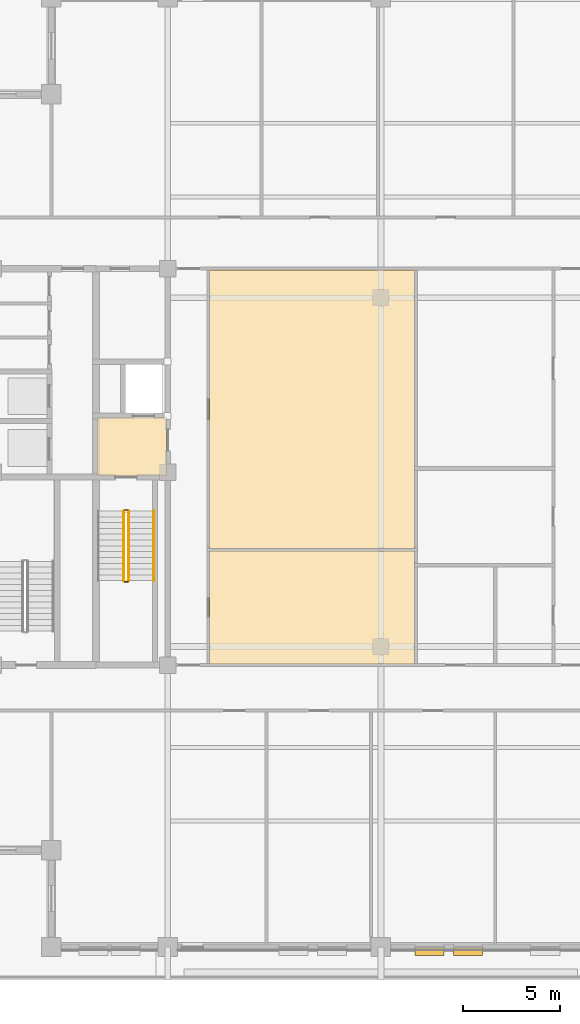
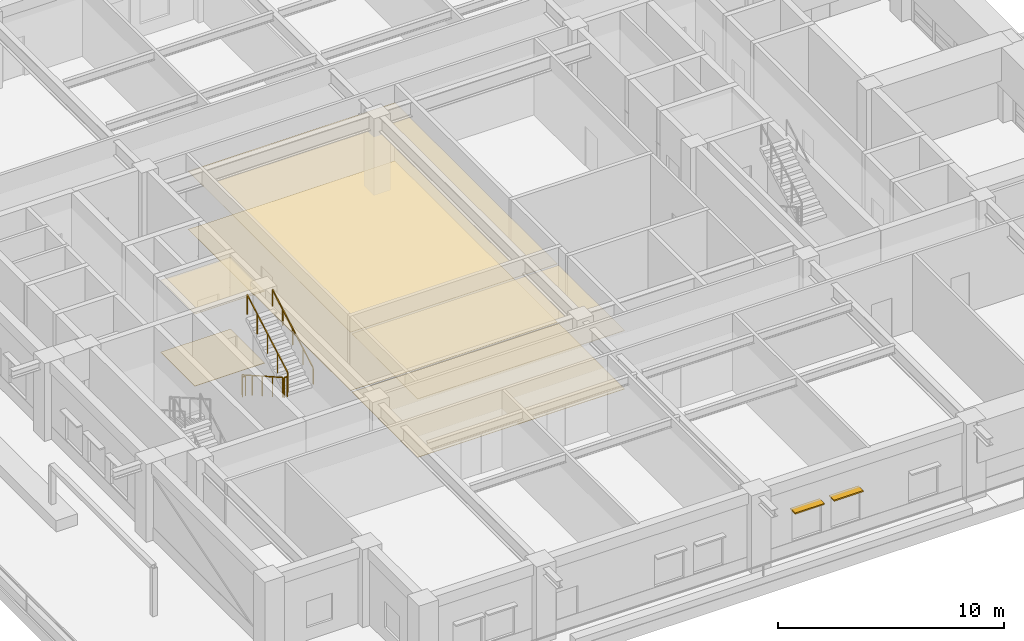
# One storey, part 16 of 20: 6 coverings, 5 railings, 2 shading devices.
"""IFC4 building model written with IfcOpenShell, lengths in metres."""

from ifc_helpers import new_model, si_unit, direction, frame, frame_2d, origin, origin_2d, place, context, subcontext, project, spatial, polyline, rectangle, outline, extrude, material, layer, layer_set, type_object, element, save


model = new_model("IFC4")

# Units and contexts
model_context = context("Model", 3, precision=1e-05, world=origin(), true_north=direction((0.0, 1.0)))
body_context = subcontext(model_context, "Body", "Model", "MODEL_VIEW")
ifc_project = project(units=[si_unit("LENGTHUNIT", "METRE"), si_unit("AREAUNIT", "SQUARE_METRE"), si_unit("VOLUMEUNIT", "CUBIC_METRE"), si_unit("PLANEANGLEUNIT", "RADIAN"), si_unit("MASSUNIT", "GRAM", prefix="KILO")], contexts=[model_context])

# Site, building, storey
site_placement = place(None, origin())
site = spatial("IfcSite", under=ifc_project, at=site_placement, CompositionType="ELEMENT")
building_placement = place(site_placement, origin())
building = spatial("IfcBuilding", under=site, at=building_placement, Name="Zulmaris Gate Convention Tower", CompositionType="ELEMENT")
storey_placement = place(building_placement, frame((0.0, 0.0, 158.23974609375)))
storey = spatial("IfcBuildingStorey", under=building, at=storey_placement, Name="L40", CompositionType="ELEMENT", Elevation=158.23974609375)

# Coverings
ifc_material_1 = material(Name="Mineral Fibre Acoustic Ceiling Tile")
ifc_layer_1 = layer(ifc_material_1, 0.02001953125, Name="Mineral Fibre Acoustic Ceiling Tile")
ifc_layer_set_1 = layer_set([ifc_layer_1], Name="Mineral Fibre Acoustic Ceiling Tile")
covering_type_1 = type_object("IfcCoveringType", Name="CLG-ACOUSTIC-600", PredefinedType="CEILING", material=ifc_layer_set_1)
covering_1_placement = place(storey_placement, frame((0.0, 0.0, 3.89013671875)))
element("IfcCovering", 1, at=covering_1_placement, inside=storey, type_object=covering_type_1, Name="CLG-L40-R03", PredefinedType="CEILING", context=body_context, shape_type="SweptSolid", body=[
    extrude(outline(polyline([(-14.639892578125, -0.18994140625), (-11.06005859375, -0.18994140625), (-11.06005859375, 2.840087890625), (-14.639892578125, 2.840087890625), (-14.639892578125, -0.18994140625)])), origin(), (0.0, 0.0, 1.0), 0.02001953125),
])
covering_2_placement = place(storey_placement, frame((0.0, 0.0, 3.153076171875)))
element("IfcCovering", 2, at=covering_2_placement, inside=storey, type_object=covering_type_1, Name="CLG-L40-R45", PredefinedType="CEILING", context=body_context, shape_type="SweptSolid", body=[
    extrude(outline(polyline([(-8.840087890625, -3.93994140625), (1.739990234375, -3.93994140625), (1.739990234375, 10.43994140625), (-8.840087890625, 10.43994140625), (-8.840087890625, -3.93994140625)])), origin(), (0.0, 0.0, 1.0), 0.02001953125),
])
covering_3_placement = place(storey_placement, frame((0.0, 0.0, 3.153076171875)))
element("IfcCovering", 3, at=covering_3_placement, inside=storey, type_object=covering_type_1, Name="CLG-L40-R46", PredefinedType="CEILING", context=body_context, shape_type="SweptSolid", body=[
    extrude(outline(polyline([(-8.840087890625, -9.889892578125), (1.739990234375, -9.889892578125), (1.739990234375, -4.06005859375), (-8.840087890625, -4.06005859375), (-8.840087890625, -9.889892578125)])), origin(), (0.0, 0.0, 1.0), 0.02001953125),
])
ifc_material_2 = material(Name="Woven Acoustic Wool Carpet Tile")
ifc_layer_2 = layer(ifc_material_2, 0.02001953125, Name="Woven Acoustic Wool Carpet Tile")
ifc_layer_set_2 = layer_set([ifc_layer_2], Name="Woven Acoustic Wool Carpet Tile")
covering_type_2 = type_object("IfcCoveringType", Name="FLR-CARPET-12", PredefinedType="FLOORING", material=ifc_layer_set_2)
covering_4_placement = place(storey_placement, origin())
element("IfcCovering", 4, at=covering_4_placement, inside=storey, type_object=covering_type_2, Name="FLR-L40-R03", PredefinedType="FLOORING", context=body_context, shape_type="SweptSolid", body=[
    extrude(outline(polyline([(-14.639892578125, -0.18994140625), (-11.06005859375, -0.18994140625), (-11.06005859375, 2.840087890625), (-14.639892578125, 2.840087890625), (-14.639892578125, -0.18994140625)])), origin(), (0.0, 0.0, 1.0), 0.02001953125),
])
covering_5_placement = place(storey_placement, origin())
element("IfcCovering", 5, at=covering_5_placement, inside=storey, type_object=covering_type_2, Name="FLR-L40-R46", PredefinedType="FLOORING", context=body_context, shape_type="SweptSolid", body=[
    extrude(outline(polyline([(-8.840087890625, -9.889892578125), (1.739990234375, -9.889892578125), (1.739990234375, -4.06005859375), (-8.840087890625, -4.06005859375), (-8.840087890625, -9.889892578125)])), origin(), (0.0, 0.0, 1.0), 0.02001953125),
])
ifc_material_3 = material(Name="Engineered Teak Parquet Flooring")
ifc_layer_3 = layer(ifc_material_3, 0.02001953125, Name="Engineered Teak Parquet Flooring")
ifc_layer_set_3 = layer_set([ifc_layer_3], Name="Engineered Teak Parquet Flooring")
covering_type_3 = type_object("IfcCoveringType", Name="FLR-TIMBER-18", PredefinedType="FLOORING", material=ifc_layer_set_3)
covering_6_placement = place(storey_placement, origin())
element("IfcCovering", 6, at=covering_6_placement, inside=storey, type_object=covering_type_3, Name="FLR-L40-R45", PredefinedType="FLOORING", context=body_context, shape_type="SweptSolid", body=[
    extrude(outline(polyline([(-8.840087890625, -3.93994140625), (1.739990234375, -3.93994140625), (1.739990234375, 10.43994140625), (-8.840087890625, 10.43994140625), (-8.840087890625, -3.93994140625)])), origin(), (0.0, 0.0, 1.0), 0.02001953125),
])

# Railings
ifc_material_4 = material(Name="Painted Galvanised Steel", Category="steel")
railing_type_1 = type_object("IfcRailingType", Name="RL-STG-1150", PredefinedType="GUARDRAIL", material=ifc_material_4)
railing_1_placement = place(storey_placement, frame((-13.27001953125, -2.0, 0.169921875)))
element("IfcRailing", 7, at=railing_1_placement, inside=storey, type_object=railing_type_1, Name="L40 ST-1 stair guard 1", PredefinedType="GUARDRAIL", context=body_context, shape_type="SweptSolid", body=[
    extrude(rectangle(XDim=0.048095703125, YDim=0.048095703125, at=origin_2d()), frame((0.0, 0.0, 1.076171875), z_axis=(0.0, -0.870023872995, 0.493009594652), x_axis=(1.0, 0.0, 0.0)), (0.0, 0.0, 1.0), 4.137939453125),
    extrude(rectangle(XDim=0.0419921875, YDim=0.0419921875, at=origin_2d()), origin(), (0.0, 0.0, 1.0), 1.052001953125),
    extrude(rectangle(XDim=0.0419921875, YDim=0.0419921875, at=origin_2d()), frame((0.0, -0.89990234375, 0.510009765625)), (0.0, 0.0, 1.0), 1.052001953125),
    extrude(rectangle(XDim=0.0419921875, YDim=0.0419921875, at=origin_2d()), frame((0.0, -1.800048828125, 1.02001953125)), (0.0, 0.0, 1.0), 1.052001953125),
    extrude(rectangle(XDim=0.0419921875, YDim=0.0419921875, at=origin_2d()), frame((0.0, -2.7001953125, 1.530029296875)), (0.0, 0.0, 1.0), 1.052001953125),
    extrude(rectangle(XDim=0.0419921875, YDim=0.0419921875, at=origin_2d()), frame((0.0, -3.60009765625, 2.0400390625)), (0.0, 0.0, 1.0), 1.052001953125),
])
railing_2_placement = place(storey_placement, frame((-13.219970703125, -5.64990234375, 2.2099609375)))
element("IfcRailing", 8, at=railing_2_placement, inside=storey, type_object=railing_type_1, Name="L40 ST-1 stair guard 2", PredefinedType="GUARDRAIL", context=body_context, shape_type="SweptSolid", body=[
    extrude(rectangle(XDim=0.048095703125, YDim=0.048095703125, at=origin_2d()), frame((0.0, 0.0, 1.076171875), z_axis=(1.0, 0.0, 0.0), x_axis=(0.0, 1.0, 0.0)), (0.0, 0.0, 1.0), 0.159912109375),
    extrude(rectangle(XDim=0.0419921875, YDim=0.0419921875, at=origin_2d()), origin(), (0.0, 0.0, 1.0), 1.052001953125),
    extrude(rectangle(XDim=0.0419921875, YDim=0.0419921875, at=origin_2d()), frame((0.159912109375, 0.0, 0.0)), (0.0, 0.0, 1.0), 1.052001953125),
])
railing_3_placement = place(storey_placement, frame((-13.010009765625, -5.60009765625, 2.380126953125)))
element("IfcRailing", 9, at=railing_3_placement, inside=storey, type_object=railing_type_1, Name="L40 ST-1 stair guard 3", PredefinedType="GUARDRAIL", context=body_context, shape_type="SweptSolid", body=[
    extrude(rectangle(XDim=0.048095703125, YDim=0.048095703125, at=origin_2d()), frame((0.0, 0.0, 1.076171875), z_axis=(0.0, 0.870023872995, 0.493009594652), x_axis=(-1.0, 0.0, 0.0)), (0.0, 0.0, 1.0), 4.137939453125),
    extrude(rectangle(XDim=0.0419921875, YDim=0.0419921875, at=origin_2d()), origin(), (0.0, 0.0, 1.0), 1.052001953125),
    extrude(rectangle(XDim=0.0419921875, YDim=0.0419921875, at=origin_2d()), frame((0.0, 0.89990234375, 0.510009765625)), (0.0, 0.0, 1.0), 1.052001953125),
    extrude(rectangle(XDim=0.0419921875, YDim=0.0419921875, at=origin_2d()), frame((0.0, 1.800048828125, 1.02001953125)), (0.0, 0.0, 1.0), 1.052001953125),
    extrude(rectangle(XDim=0.0419921875, YDim=0.0419921875, at=origin_2d()), frame((0.0, 2.7001953125, 1.530029296875)), (0.0, 0.0, 1.0), 1.052001953125),
    extrude(rectangle(XDim=0.0419921875, YDim=0.0419921875, at=origin_2d()), frame((0.0, 3.60009765625, 2.0400390625)), (0.0, 0.0, 1.0), 1.052001953125),
])
railing_4_placement = place(storey_placement, frame((-13.219970703125, -1.949951171875, 0.0)))
element("IfcRailing", 10, at=railing_4_placement, inside=storey, type_object=railing_type_1, Name="L40 ST-1 stair guard 4", PredefinedType="GUARDRAIL", context=body_context, shape_type="SweptSolid", body=[
    extrude(rectangle(XDim=0.048095703125, YDim=0.048095703125, at=origin_2d()), frame((0.0, 0.0, 1.076171875), z_axis=(1.0, 0.0, 0.0), x_axis=(0.0, 1.0, 0.0)), (0.0, 0.0, 1.0), 0.159912109375),
    extrude(rectangle(XDim=0.0419921875, YDim=0.0419921875, at=origin_2d()), origin(), (0.0, 0.0, 1.0), 1.052001953125),
    extrude(rectangle(XDim=0.0419921875, YDim=0.0419921875, at=origin_2d()), frame((0.159912109375, 0.0, 0.0)), (0.0, 0.0, 1.0), 1.052001953125),
])
ifc_material_5 = material(Name="Brushed Stainless Steel", Category="steel")
railing_type_2 = type_object("IfcRailingType", Name="RL-STH-900", PredefinedType="HANDRAIL", material=ifc_material_5)
railing_5_placement = place(storey_placement, frame((-11.7099609375, -5.60009765625, 2.380126953125)))
element("IfcRailing", 11, at=railing_5_placement, inside=storey, type_object=railing_type_2, Name="L40 ST-1 stair handrail 2", PredefinedType="HANDRAIL", context=body_context, shape_type="SweptSolid", body=[
    extrude(rectangle(XDim=0.048095703125, YDim=0.048095703125, at=origin_2d()), frame((0.0, 0.0, 0.8759765625), z_axis=(0.0, 0.870023872995, 0.493009594652), x_axis=(-1.0, 0.0, 0.0)), (0.0, 0.0, 1.0), 4.137939453125),
    extrude(rectangle(XDim=0.0419921875, YDim=0.0419921875, at=origin_2d()), origin(), (0.0, 0.0, 1.0), 0.851806640625),
    extrude(rectangle(XDim=0.0419921875, YDim=0.0419921875, at=origin_2d()), frame((0.0, 0.89990234375, 0.510009765625)), (0.0, 0.0, 1.0), 0.851806640625),
    extrude(rectangle(XDim=0.0419921875, YDim=0.0419921875, at=origin_2d()), frame((0.0, 1.800048828125, 1.02001953125)), (0.0, 0.0, 1.0), 0.851806640625),
    extrude(rectangle(XDim=0.0419921875, YDim=0.0419921875, at=origin_2d()), frame((0.0, 2.7001953125, 1.530029296875)), (0.0, 0.0, 1.0), 0.851806640625),
    extrude(rectangle(XDim=0.0419921875, YDim=0.0419921875, at=origin_2d()), frame((0.0, 3.60009765625, 2.0400390625)), (0.0, 0.0, 1.0), 0.851806640625),
])

# Shading devices
ifc_material_6 = material(Name="Glazed Ceramic Terracotta", Category="masonry")
ifc_layer_4 = layer(ifc_material_6, 0.070068359375, Name="Glazed Ceramic Terracotta")
ifc_layer_set_4 = layer_set([ifc_layer_4], Name="Glazed Ceramic Terracotta")
shading_device_type = type_object("IfcShadingDeviceType", Name="SHD-SUNSHADE-TC", PredefinedType="AWNING", material=ifc_layer_set_4)
for number, where, z_axis, x_axis, name in (
    (12, (1.76806640625, -24.719970703125, 2.349853515625), (0.0, 0.0, 1.0), (1.0, 0.0, 0.0), "SHD-EW-L40-S-2_0-1"),
    (13, (3.756103515625, -24.719970703125, 2.349853515625), (0.0, 0.0, 1.0), (1.0, 0.0, 0.0), "SHD-EW-L40-S-2_0-2"),
):
    element("IfcShadingDevice", number, at=place(storey_placement, frame(where, z_axis=z_axis, x_axis=x_axis)), inside=storey, type_object=shading_device_type, Name=name, PredefinedType="AWNING", context=body_context, shape_type="SweptSolid", body=[
        extrude(rectangle(XDim=1.5, YDim=0.43994140625, at=frame_2d((0.75, 0.0))), origin(), (0.0, 0.0, 1.0), 0.070068359375),
    ])

save(model, "model.ifc")
